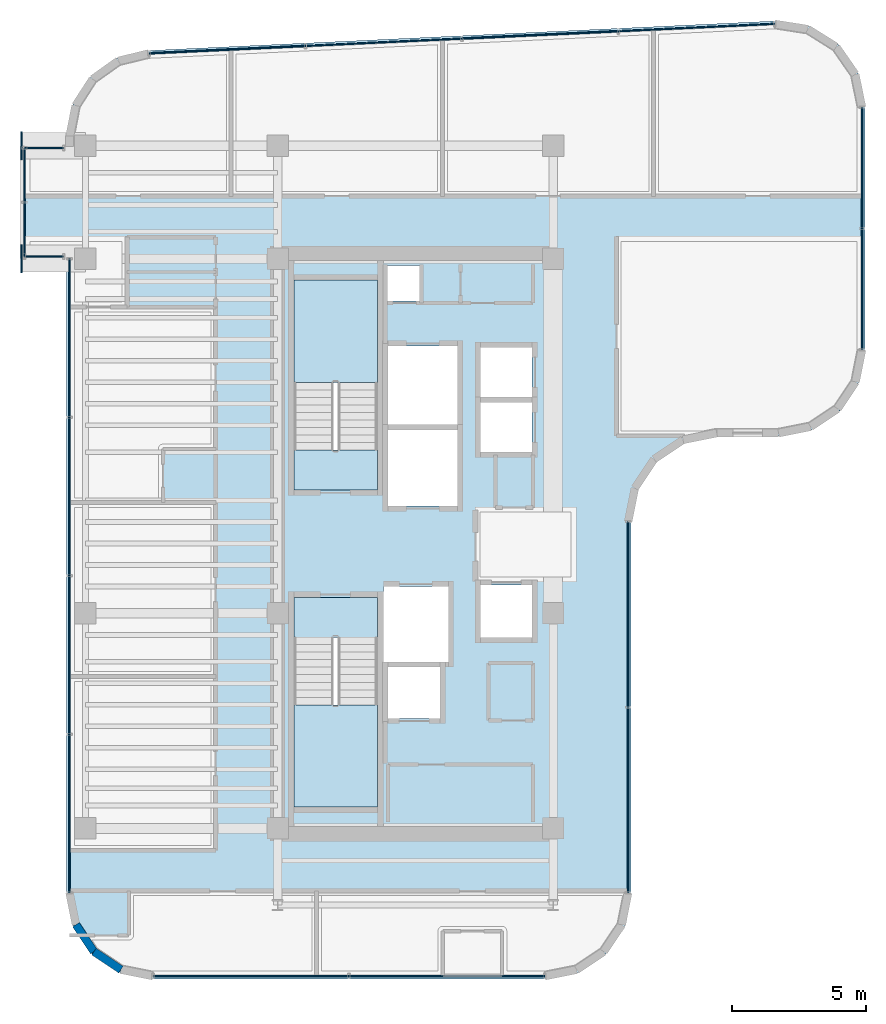
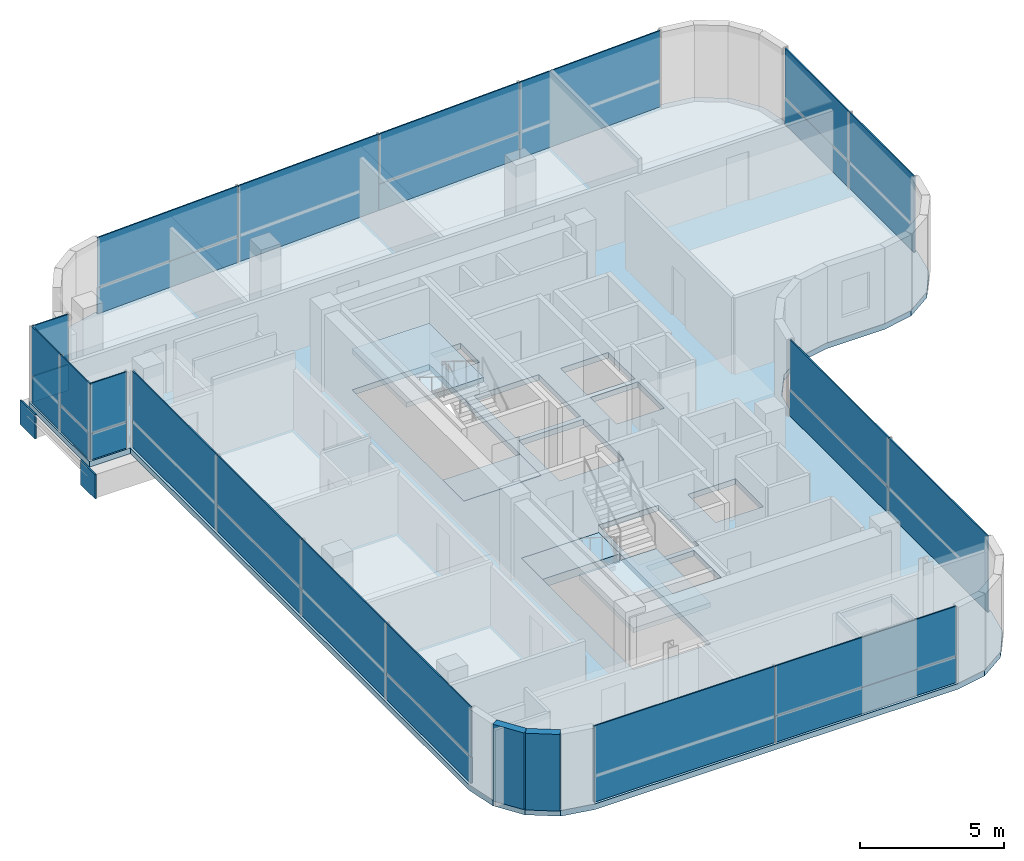
# One storey, part 15 of 21: 30 plates, 5 slabs, 2 walls, 10 elements without a shape of their own.
"""IFC4 building model written with IfcOpenShell, lengths in metres."""

from ifc_helpers import new_model, si_unit, direction, frame, frame_2d, origin, origin_2d, place, context, subcontext, project, spatial, polyline, rectangle, outline, extrude, source, transform, mapped, material, layer, layer_set, type_object, element, aggregate, save


model = new_model("IFC4")

# Units and contexts
model_context = context("Model", 3, precision=1e-05, world=origin(), true_north=direction((0.0, 1.0)))
body_context = subcontext(model_context, "Body", "Model", "MODEL_VIEW")
ifc_project = project(units=[si_unit("LENGTHUNIT", "METRE"), si_unit("AREAUNIT", "SQUARE_METRE"), si_unit("VOLUMEUNIT", "CUBIC_METRE"), si_unit("PLANEANGLEUNIT", "RADIAN"), si_unit("MASSUNIT", "GRAM", prefix="KILO")], contexts=[model_context])

# Site, building, storey
site_placement = place(None, origin())
site = spatial("IfcSite", under=ifc_project, at=site_placement, CompositionType="ELEMENT")
building_placement = place(site_placement, origin())
building = spatial("IfcBuilding", under=site, at=building_placement, Name="Valdorenza Pilgrim Sanctuary Tower", CompositionType="ELEMENT")
storey_placement = place(building_placement, frame((0.0, 0.0, 254.5)))
storey = spatial("IfcBuildingStorey", under=building, at=storey_placement, Name="L66", CompositionType="ELEMENT", Elevation=254.5)

# Slab
ifc_material_1 = material(Name="Concrete C40/50", Category="concrete")
ifc_layer_1 = layer(ifc_material_1, 0.239990234375, Name="Concrete C40/50")
ifc_layer_set_1 = layer_set([ifc_layer_1], Name="Concrete C40/50")
slab_type_1 = type_object("IfcSlabType", Name="SLAB-FLR-220", PredefinedType="FLOOR", material=ifc_layer_set_1)
slab_1_placement = place(storey_placement, frame((0.0, 0.0, -0.239990234375)))
element("IfcSlab", 1, at=slab_1_placement, inside=storey, type_object=slab_type_1, Name="L66 Structural Floor Slab 1", PredefinedType="FLOOR", context=body_context, shape_type="SweptSolid", body=[
    extrude(outline(polyline([(-30.2705078125, 16.3369140625), (-29.615478515625, 17.356201171875), (-28.628173828125, 18.05859375), (-27.45068359375, 18.34375), (-4.150634765625, 19.442138671875), (-2.880615234375, 19.243408203125), (-1.791259765625, 18.56103515625), (-1.05810546875, 17.5048828125), (-0.800048828125, 16.24560546875), (-0.800048828125, 7.199951171875), (-1.043701171875, 5.975341796875), (-1.7373046875, 4.937255859375), (-2.775390625, 4.24365234375), (-4.0, 4.0), (-6.300048828125, 4.0), (-7.524658203125, 3.75634765625), (-8.562744140625, 3.062744140625), (-9.25634765625, 2.024658203125), (-9.5, 0.800048828125), (-9.5, -13.0), (-9.74365234375, -14.224609375), (-10.437255859375, -15.2626953125), (-11.475341796875, -15.956298828125), (-12.699951171875, -16.199951171875), (-27.300048828125, -16.199951171875), (-28.524658203125, -15.956298828125), (-29.562744140625, -15.2626953125), (-30.25634765625, -14.224609375), (-30.5, -13.0), (-30.5, 10.60009765625), (-32.14990234375, 10.60009765625), (-32.14990234375, 14.800048828125), (-30.5, 14.800048828125), (-30.5, 15.147216796875), (-30.2705078125, 16.3369140625)]), holes=[polyline([(-22.050048828125, -9.800048828125), (-18.93994140625, -9.800048828125), (-18.93994140625, -3.485107421875), (-18.93994140625, -2.0), (-22.050048828125, -2.0), (-22.050048828125, -3.485107421875), (-22.050048828125, -9.800048828125)]), polyline([(-16.60009765625, -6.5), (-16.60009765625, -4.60009765625), (-18.550048828125, -4.60009765625), (-18.550048828125, -6.5), (-16.60009765625, -6.5)]), polyline([(-22.050048828125, 2.0), (-18.93994140625, 2.0), (-18.93994140625, 3.485107421875), (-18.93994140625, 9.800048828125), (-22.050048828125, 9.800048828125), (-22.050048828125, 3.485107421875), (-22.050048828125, 2.0)]), polyline([(-17.360107421875, 9.030029296875), (-17.360107421875, 10.35009765625), (-18.570068359375, 10.35009765625), (-18.570068359375, 9.030029296875), (-17.360107421875, 9.030029296875)]), polyline([(-16.300048828125, -1.60009765625), (-18.719970703125, -1.60009765625), (-18.719970703125, -4.39990234375), (-16.300048828125, -4.39990234375), (-16.300048828125, -1.60009765625)]), polyline([(-13.179931640625, -3.5), (-13.179931640625, -1.550048828125), (-15.10009765625, -1.550048828125), (-15.10009765625, -3.5), (-13.179931640625, -3.5)]), polyline([(-15.949951171875, 1.39990234375), (-15.949951171875, 4.22509765625), (-18.550048828125, 4.22509765625), (-18.550048828125, 1.39990234375), (-15.949951171875, 1.39990234375)]), polyline([(-13.179931640625, 5.25), (-15.10009765625, 5.25), (-15.10009765625, 3.39990234375), (-13.179931640625, 3.39990234375), (-13.179931640625, 5.25)]), polyline([(-15.949951171875, 4.425048828125), (-15.949951171875, 7.35009765625), (-18.550048828125, 7.35009765625), (-18.550048828125, 4.425048828125), (-15.949951171875, 4.425048828125)]), polyline([(-13.179931640625, 5.449951171875), (-13.179931640625, 7.300048828125), (-15.10009765625, 7.300048828125), (-15.10009765625, 5.449951171875), (-13.179931640625, 5.449951171875)])]), origin(), (0.0, 0.0, 1.0), 0.239990234375),
])

# Stair, slab
stair_type = type_object("IfcStairType", Name="STR-DOG-CORE", PredefinedType="HALF_TURN_STAIR", material=ifc_material_1)
stair_1_placement = place(storey_placement, origin())
stair_1 = element("IfcStair", 2, at=stair_1_placement, inside=storey, type_object=stair_type, Name="L66 ST-A1", PredefinedType="HALF_TURN_STAIR")
ifc_layer_2 = layer(ifc_material_1, 0.199951171875, Name="Concrete C40/50")
ifc_layer_set_2 = layer_set([ifc_layer_2], Name="Concrete C40/50")
slab_type_2 = type_object("IfcSlabType", Name="SLAB-STL-200", PredefinedType="LANDING", material=ifc_layer_set_2)
slab_2_placement = place(storey_placement, frame((0.0, 0.0, 1.550048828125)))
slab_2 = element("IfcSlab", 3, at=slab_2_placement, type_object=slab_type_2, Name="ST-A1 landing 1", PredefinedType="LANDING", context=body_context, shape_type="SweptSolid", body=[
    extrude(outline(polyline([(-18.93994140625, 6.0), (-18.93994140625, 9.800048828125), (-22.050048828125, 9.800048828125), (-22.050048828125, 6.0), (-18.93994140625, 6.0)])), origin(), (0.0, 0.0, 1.0), 0.199951171875),
])
aggregate(stair_1, [slab_2])

stair_2_placement = place(storey_placement, origin())
stair_2 = element("IfcStair", 4, at=stair_2_placement, inside=storey, type_object=stair_type, Name="L66 ST-A2", PredefinedType="HALF_TURN_STAIR")
slab_3_placement = place(storey_placement, frame((0.0, 0.0, 1.550048828125)))
slab_3 = element("IfcSlab", 5, at=slab_3_placement, type_object=slab_type_2, Name="ST-A2 landing 1", PredefinedType="LANDING", context=body_context, shape_type="SweptSolid", body=[
    extrude(outline(polyline([(-22.050048828125, -6.0), (-22.050048828125, -9.800048828125), (-18.93994140625, -9.800048828125), (-18.93994140625, -6.0), (-22.050048828125, -6.0)])), origin(), (0.0, 0.0, 1.0), 0.199951171875),
])
aggregate(stair_2, [slab_3])

# Slabs
ifc_material_2 = material(Name="Concrete C50/60", Category="concrete")
ifc_layer_3 = layer(ifc_material_2, 0.39990234375, Name="Concrete C50/60")
ifc_layer_set_3 = layer_set([ifc_layer_3], Name="Concrete C50/60")
slab_type_3 = type_object("IfcSlabType", Name="SLAB-TRF-400", PredefinedType="FLOOR", material=ifc_layer_set_3)
slab_4_placement = place(storey_placement, frame((0.0, 0.0, -0.360107421875)))
element("IfcSlab", 6, at=slab_4_placement, inside=storey, type_object=slab_type_3, Name="L66 ST-A1 Structural Stair Landing Bearing Slab", PredefinedType="FLOOR", context=body_context, shape_type="SweptSolid", body=[
    extrude(outline(polyline([(-22.050048828125, 2.0), (-18.93994140625, 2.0), (-18.93994140625, 3.485107421875), (-22.050048828125, 3.485107421875), (-22.050048828125, 2.0)])), origin(), (0.0, 0.0, 1.0), 0.360107421875),
])
slab_5_placement = place(storey_placement, frame((0.0, 0.0, -0.360107421875)))
element("IfcSlab", 7, at=slab_5_placement, inside=storey, type_object=slab_type_3, Name="L66 ST-A2 Structural Stair Landing Bearing Slab", PredefinedType="FLOOR", context=body_context, shape_type="SweptSolid", body=[
    extrude(outline(polyline([(-22.050048828125, -3.485107421875), (-18.93994140625, -3.485107421875), (-18.93994140625, -2.0), (-22.050048828125, -2.0), (-22.050048828125, -3.485107421875)])), origin(), (0.0, 0.0, 1.0), 0.360107421875),
])

# Plates
ifc_material_3 = material(Name="Steel ASTM A572 Grade 42", Category="steel")
ifc_layer_4 = layer(ifc_material_3, 0.06005859375, Name="Steel ASTM A572 Grade 42")
ifc_layer_set_4 = layer_set([ifc_layer_4], Name="Steel ASTM A572 Grade 42")
plate_type_1 = type_object("IfcPlateType", Name="PLT-CAP-60", PredefinedType="SHEET", material=ifc_layer_set_4)
shared_shape_1 = source(origin(), body_context, "Body", "SweptSolid", [
    extrude(rectangle(XDim=0.06005859375, YDim=1.0400390625, at=origin_2d()), origin(), (0.0, 0.0, 1.0), 1.0400390625),
])
for number, where, z_axis, x_axis, name in (
    (8, (-32.179931640625, 14.800048828125, -1.260009765625), (0.0, 0.0, 1.0), (1.0, 0.0, 0.0), "L66 BOX-WA-L66 Cantilever Tip End Cap N"),
    (9, (-32.179931640625, 10.60009765625, -1.260009765625), (0.0, 0.0, 1.0), (1.0, 0.0, 0.0), "L66 BOX-WA-L66 Cantilever Tip End Cap S"),
):
    element("IfcPlate", number, at=place(storey_placement, frame(where, z_axis=z_axis, x_axis=x_axis)), inside=storey, type_object=plate_type_1, Name=name, PredefinedType="SHEET", context=body_context, shape_type="MappedRepresentation", body=[
        mapped(shared_shape_1, transform((0.0, 0.0, 0.0), x_axis=(1.0, 0.0, 0.0), y_axis=(0.0, 1.0, 0.0), z_axis=(0.0, 0.0, 1.0), scale=1.0)),
    ])

# Curtain wall, plate
ifc_material_4 = material(Name="Curtain-wall IGU glazing", Category="glass")
curtain_wall_type = type_object("IfcCurtainWallType", Name="CW-SYS-02", PredefinedType="NOTDEFINED", material=ifc_material_4)
curtain_wall_1_placement = place(storey_placement, origin())
curtain_wall_1 = element("IfcCurtainWall", 10, at=curtain_wall_1_placement, inside=storey, type_object=curtain_wall_type, Name="L66 Curtain Wall CW-L66-BOX-WA-L66-S", PredefinedType="NOTDEFINED")
ifc_material_5 = material(Name="Honed travertine limestone", Category="masonry")
ifc_layer_5 = layer(ifc_material_5, 0.050048828125, Name="Honed travertine limestone")
ifc_layer_set_5 = layer_set([ifc_layer_5], Name="Honed travertine limestone")
plate_type_2 = type_object("IfcPlateType", Name="CW-SPN-TRV", PredefinedType="USERDEFINED", material=ifc_layer_set_5)
shared_shape_2 = source(origin(), body_context, "Body", "SweptSolid", [
    extrude(rectangle(XDim=1.43994140625, YDim=0.06005859375, at=origin_2d()), origin(), (0.0, 0.0, 1.0), 1.10009765625),
])
plate_1_placement = place(storey_placement, frame((-31.340087890625, 10.679931640625, 0.010009765625), z_axis=(0.0, 0.0, 1.0), x_axis=(-1.0, 0.0, 0.0)))
plate_1 = element("IfcPlate", 11, at=plate_1_placement, type_object=plate_type_2, Name="CW-L66-BOX-WA-L66-S Travertine Spandrel 1", ObjectType="SPANDREL", PredefinedType="USERDEFINED", context=body_context, shape_type="MappedRepresentation", body=[
    mapped(shared_shape_2, transform((0.0, 0.0, 0.0), x_axis=(1.0, 0.0, 0.0), y_axis=(0.0, 1.0, 0.0), z_axis=(0.0, 0.0, 1.0), scale=1.0)),
])

curtain_wall_2_placement = place(storey_placement, origin())
curtain_wall_2 = element("IfcCurtainWall", 12, at=curtain_wall_2_placement, inside=storey, type_object=curtain_wall_type, Name="L66 Curtain Wall CW-L66-BOX-WA-L66-N", PredefinedType="NOTDEFINED")
plate_2_placement = place(storey_placement, frame((-31.340087890625, 14.719970703125, 0.010009765625), z_axis=(0.0, 0.0, 1.0), x_axis=(1.0, 0.0, 0.0)))
plate_2 = element("IfcPlate", 13, at=plate_2_placement, type_object=plate_type_2, Name="CW-L66-BOX-WA-L66-N Travertine Spandrel 1", ObjectType="SPANDREL", PredefinedType="USERDEFINED", context=body_context, shape_type="MappedRepresentation", body=[
    mapped(shared_shape_2, transform((0.0, 0.0, 0.0), x_axis=(1.0, 0.0, 0.0), y_axis=(0.0, 1.0, 0.0), z_axis=(0.0, 0.0, 1.0), scale=1.0)),
])

curtain_wall_3_placement = place(storey_placement, origin())
curtain_wall_3 = element("IfcCurtainWall", 14, at=curtain_wall_3_placement, inside=storey, type_object=curtain_wall_type, Name="L66 Curtain Wall CW-L66-BOX-WA-L66-F", PredefinedType="NOTDEFINED")
shared_shape_3 = source(origin(), body_context, "Body", "SweptSolid", [
    extrude(rectangle(XDim=2.0, YDim=0.06005859375, at=origin_2d()), origin(), (0.0, 0.0, 1.0), 1.10009765625),
])
plate_3_placement = place(storey_placement, frame((-32.070068359375, 11.68994140625, 0.010009765625), z_axis=(0.0, 0.0, 1.0), x_axis=(0.0, 1.0, 0.0)))
plate_3 = element("IfcPlate", 15, at=plate_3_placement, type_object=plate_type_2, Name="CW-L66-BOX-WA-L66-F Travertine Spandrel 1", ObjectType="SPANDREL", PredefinedType="USERDEFINED", context=body_context, shape_type="MappedRepresentation", body=[
    mapped(shared_shape_3, transform((0.0, 0.0, 0.0), x_axis=(1.0, 0.0, 0.0), y_axis=(0.0, 1.0, 0.0), z_axis=(0.0, 0.0, 1.0), scale=1.0)),
])

# Plate
ifc_material_6 = material(Name="Ceramic-fritted low-E IGU glazing", Category="glass")
ifc_layer_6 = layer(ifc_material_6, 0.035888671875, Name="Ceramic-fritted low-E IGU glazing")
ifc_layer_set_6 = layer_set([ifc_layer_6], Name="Ceramic-fritted low-E IGU glazing")
plate_type_3 = type_object("IfcPlateType", Name="CW-GLZ-IGU", PredefinedType="USERDEFINED", material=ifc_layer_set_6)
shared_shape_4 = source(origin(), body_context, "Body", "SweptSolid", [
    extrude(rectangle(XDim=1.43994140625, YDim=0.050048828125, at=origin_2d()), origin(), (0.0, 0.0, 1.0), 2.1201171875),
])
plate_4_placement = place(storey_placement, frame((-31.340087890625, 10.679931640625, 1.1298828125), z_axis=(0.0, 0.0, 1.0), x_axis=(-1.0, 0.0, 0.0)))
plate_4 = element("IfcPlate", 16, at=plate_4_placement, type_object=plate_type_3, Name="CW-L66-BOX-WA-L66-S Facade Panel 1", ObjectType="GLAZING", PredefinedType="USERDEFINED", context=body_context, shape_type="MappedRepresentation", body=[
    mapped(shared_shape_4, transform((0.0, 0.0, 0.0), x_axis=(1.0, 0.0, 0.0), y_axis=(0.0, 1.0, 0.0), z_axis=(0.0, 0.0, 1.0), scale=1.0)),
])

aggregate(curtain_wall_1, [plate_1, plate_4])

plate_5_placement = place(storey_placement, frame((-31.340087890625, 14.719970703125, 1.1298828125), z_axis=(0.0, 0.0, 1.0), x_axis=(1.0, 0.0, 0.0)))
plate_5 = element("IfcPlate", 17, at=plate_5_placement, type_object=plate_type_3, Name="CW-L66-BOX-WA-L66-N Facade Panel 1", ObjectType="GLAZING", PredefinedType="USERDEFINED", context=body_context, shape_type="MappedRepresentation", body=[
    mapped(shared_shape_4, transform((0.0, 0.0, 0.0), x_axis=(1.0, 0.0, 0.0), y_axis=(0.0, 1.0, 0.0), z_axis=(0.0, 0.0, 1.0), scale=1.0)),
])

aggregate(curtain_wall_2, [plate_2, plate_5])

shared_shape_5 = source(origin(), body_context, "Body", "SweptSolid", [
    extrude(rectangle(XDim=2.0, YDim=0.050048828125, at=origin_2d()), origin(), (0.0, 0.0, 1.0), 2.1201171875),
])
plate_6_placement = place(storey_placement, frame((-32.070068359375, 11.68994140625, 1.1298828125), z_axis=(0.0, 0.0, 1.0), x_axis=(0.0, 1.0, 0.0)))
plate_6 = element("IfcPlate", 18, at=plate_6_placement, type_object=plate_type_3, Name="CW-L66-BOX-WA-L66-F Facade Panel 1", ObjectType="GLAZING", PredefinedType="USERDEFINED", context=body_context, shape_type="MappedRepresentation", body=[
    mapped(shared_shape_5, transform((0.0, 0.0, 0.0), x_axis=(1.0, 0.0, 0.0), y_axis=(0.0, 1.0, 0.0), z_axis=(0.0, 0.0, 1.0), scale=1.0)),
])

shared_shape_6 = source(origin(), body_context, "Body", "SweptSolid", [
    extrude(rectangle(XDim=2.0, YDim=0.050048828125, at=origin_2d()), origin(), (0.0, 0.0, 1.0), 3.239990234375),
])
plate_7_placement = place(storey_placement, frame((-32.070068359375, 13.7099609375, 0.009765625), z_axis=(0.0, 0.0, 1.0), x_axis=(0.0, 1.0, 0.0)))
plate_7 = element("IfcPlate", 19, at=plate_7_placement, type_object=plate_type_3, Name="CW-L66-BOX-WA-L66-F Full-Height Facade Panel 2", ObjectType="GLAZING", PredefinedType="USERDEFINED", context=body_context, shape_type="MappedRepresentation", body=[
    mapped(shared_shape_6, transform((0.0, 0.0, 0.0), x_axis=(1.0, 0.0, 0.0), y_axis=(0.0, 1.0, 0.0), z_axis=(0.0, 0.0, 1.0), scale=1.0)),
])

aggregate(curtain_wall_3, [plate_3, plate_6, plate_7])

# Curtain wall, plates
curtain_wall_4_placement = place(storey_placement, origin())
curtain_wall_4 = element("IfcCurtainWall", 20, at=curtain_wall_4_placement, inside=storey, type_object=curtain_wall_type, Name="L66 Curtain Wall CW-L66-1-6", PredefinedType="NOTDEFINED")
shared_shape_7 = source(origin(), body_context, "Body", "SweptSolid", [
    extrude(rectangle(XDim=5.805908203125, YDim=0.06005859375, at=origin_2d()), origin(), (0.0, 0.0, 1.0), 1.10009765625),
])
plate_8_placement = place(storey_placement, frame((-24.525146484375, 18.37158203125, 0.010009765625), z_axis=(0.0, 0.0, 1.0), x_axis=(0.998890696972, 0.047089016785, 0.0)))
plate_8 = element("IfcPlate", 21, at=plate_8_placement, type_object=plate_type_2, Name="CW-L66-1-6 Travertine Spandrel 1", ObjectType="SPANDREL", PredefinedType="USERDEFINED", context=body_context, shape_type="MappedRepresentation", body=[
    mapped(shared_shape_7, transform((0.0, 0.0, 0.0), x_axis=(1.0, 0.0, 0.0), y_axis=(0.0, 1.0, 0.0), z_axis=(0.0, 0.0, 1.0), scale=1.0)),
])
plate_9_placement = place(storey_placement, frame((-12.885986328125, 18.920166015625, 0.010009765625), z_axis=(0.0, 0.0, 1.0), x_axis=(0.998890696972, 0.047089016785, 0.0)))
plate_9 = element("IfcPlate", 22, at=plate_9_placement, type_object=plate_type_2, Name="CW-L66-1-6 Travertine Spandrel 3", ObjectType="SPANDREL", PredefinedType="USERDEFINED", context=body_context, shape_type="MappedRepresentation", body=[
    mapped(shared_shape_7, transform((0.0, 0.0, 0.0), x_axis=(1.0, 0.0, 0.0), y_axis=(0.0, 1.0, 0.0), z_axis=(0.0, 0.0, 1.0), scale=1.0)),
])
shared_shape_8 = source(origin(), body_context, "Body", "SweptSolid", [
    extrude(rectangle(XDim=5.805908203125, YDim=0.050048828125, at=origin_2d()), origin(), (0.0, 0.0, 1.0), 2.1201171875),
])
plate_10_placement = place(storey_placement, frame((-24.525146484375, 18.37158203125, 1.1298828125), z_axis=(0.0, 0.0, 1.0), x_axis=(0.998890696972, 0.047089016785, 0.0)))
plate_10 = element("IfcPlate", 23, at=plate_10_placement, type_object=plate_type_3, Name="CW-L66-1-6 Facade Panel 1", ObjectType="GLAZING", PredefinedType="USERDEFINED", context=body_context, shape_type="MappedRepresentation", body=[
    mapped(shared_shape_8, transform((0.0, 0.0, 0.0), x_axis=(1.0, 0.0, 0.0), y_axis=(0.0, 1.0, 0.0), z_axis=(0.0, 0.0, 1.0), scale=1.0)),
])
plate_11_placement = place(storey_placement, frame((-12.885986328125, 18.920166015625, 1.1298828125), z_axis=(0.0, 0.0, 1.0), x_axis=(0.998890696972, 0.047089016785, 0.0)))
plate_11 = element("IfcPlate", 24, at=plate_11_placement, type_object=plate_type_3, Name="CW-L66-1-6 Facade Panel 3", ObjectType="GLAZING", PredefinedType="USERDEFINED", context=body_context, shape_type="MappedRepresentation", body=[
    mapped(shared_shape_8, transform((0.0, 0.0, 0.0), x_axis=(1.0, 0.0, 0.0), y_axis=(0.0, 1.0, 0.0), z_axis=(0.0, 0.0, 1.0), scale=1.0)),
])
shared_shape_9 = source(origin(), body_context, "Body", "SweptSolid", [
    extrude(rectangle(XDim=5.805908203125, YDim=0.050048828125, at=origin_2d()), origin(), (0.0, 0.0, 1.0), 3.239990234375),
])
plate_12_placement = place(storey_placement, frame((-18.70556640625, 18.645751953125, 0.009765625), z_axis=(0.0, 0.0, 1.0), x_axis=(0.998890696972, 0.047089016785, 0.0)))
plate_12 = element("IfcPlate", 25, at=plate_12_placement, type_object=plate_type_3, Name="CW-L66-1-6 Full-Height Facade Panel 2", ObjectType="GLAZING", PredefinedType="USERDEFINED", context=body_context, shape_type="MappedRepresentation", body=[
    mapped(shared_shape_9, transform((0.0, 0.0, 0.0), x_axis=(1.0, 0.0, 0.0), y_axis=(0.0, 1.0, 0.0), z_axis=(0.0, 0.0, 1.0), scale=1.0)),
])
plate_13_placement = place(storey_placement, frame((-7.06640625, 19.194580078125, 0.009765625), z_axis=(0.0, 0.0, 1.0), x_axis=(0.998890696972, 0.047089016785, 0.0)))
plate_13 = element("IfcPlate", 26, at=plate_13_placement, type_object=plate_type_3, Name="CW-L66-1-6 Full-Height Facade Panel 4", ObjectType="GLAZING", PredefinedType="USERDEFINED", context=body_context, shape_type="MappedRepresentation", body=[
    mapped(shared_shape_9, transform((0.0, 0.0, 0.0), x_axis=(1.0, 0.0, 0.0), y_axis=(0.0, 1.0, 0.0), z_axis=(0.0, 0.0, 1.0), scale=1.0)),
])
aggregate(curtain_wall_4, [plate_8, plate_10, plate_12, plate_9, plate_11, plate_13])

curtain_wall_5_placement = place(storey_placement, origin())
curtain_wall_5 = element("IfcCurtainWall", 27, at=curtain_wall_5_placement, inside=storey, type_object=curtain_wall_type, Name="L66 Curtain Wall CW-L66-1-11", PredefinedType="NOTDEFINED")
shared_shape_10 = source(origin(), body_context, "Body", "SweptSolid", [
    extrude(rectangle(XDim=4.49169921875, YDim=0.06005859375, at=origin_2d()), origin(), (0.0, 0.0, 1.0), 1.10009765625),
])
plate_14_placement = place(storey_placement, frame((-0.909912109375, 13.978515625, 0.010009765625), z_axis=(0.0, 0.0, 1.0), x_axis=(0.0, -1.0, 0.0)))
plate_14 = element("IfcPlate", 28, at=plate_14_placement, type_object=plate_type_2, Name="CW-L66-1-11 Travertine Spandrel 1", ObjectType="SPANDREL", PredefinedType="USERDEFINED", context=body_context, shape_type="MappedRepresentation", body=[
    mapped(shared_shape_10, transform((0.0, 0.0, 0.0), x_axis=(1.0, 0.0, 0.0), y_axis=(0.0, 1.0, 0.0), z_axis=(0.0, 0.0, 1.0), scale=1.0)),
])
shared_shape_11 = source(origin(), body_context, "Body", "SweptSolid", [
    extrude(rectangle(XDim=4.49169921875, YDim=0.050048828125, at=origin_2d()), origin(), (0.0, 0.0, 1.0), 2.1201171875),
])
plate_15_placement = place(storey_placement, frame((-0.909912109375, 13.978515625, 1.1298828125), z_axis=(0.0, 0.0, 1.0), x_axis=(0.0, -1.0, 0.0)))
plate_15 = element("IfcPlate", 29, at=plate_15_placement, type_object=plate_type_3, Name="CW-L66-1-11 Facade Panel 1", ObjectType="GLAZING", PredefinedType="USERDEFINED", context=body_context, shape_type="MappedRepresentation", body=[
    mapped(shared_shape_11, transform((0.0, 0.0, 0.0), x_axis=(1.0, 0.0, 0.0), y_axis=(0.0, 1.0, 0.0), z_axis=(0.0, 0.0, 1.0), scale=1.0)),
])
shared_shape_12 = source(origin(), body_context, "Body", "SweptSolid", [
    extrude(rectangle(XDim=4.49169921875, YDim=0.050048828125, at=origin_2d()), origin(), (0.0, 0.0, 1.0), 3.239990234375),
])
plate_16_placement = place(storey_placement, frame((-0.909912109375, 9.466796875, 0.009765625), z_axis=(0.0, 0.0, 1.0), x_axis=(0.0, -1.0, 0.0)))
plate_16 = element("IfcPlate", 30, at=plate_16_placement, type_object=plate_type_3, Name="CW-L66-1-11 Full-Height Facade Panel 2", ObjectType="GLAZING", PredefinedType="USERDEFINED", context=body_context, shape_type="MappedRepresentation", body=[
    mapped(shared_shape_12, transform((0.0, 0.0, 0.0), x_axis=(1.0, 0.0, 0.0), y_axis=(0.0, 1.0, 0.0), z_axis=(0.0, 0.0, 1.0), scale=1.0)),
])
aggregate(curtain_wall_5, [plate_14, plate_15, plate_16])

curtain_wall_6_placement = place(storey_placement, origin())
curtain_wall_6 = element("IfcCurtainWall", 31, at=curtain_wall_6_placement, inside=storey, type_object=curtain_wall_type, Name="L66 Curtain Wall CW-L66-1-21", PredefinedType="NOTDEFINED")
shared_shape_13 = source(origin(), body_context, "Body", "SweptSolid", [
    extrude(rectangle(XDim=6.8798828125, YDim=0.06005859375, at=origin_2d()), origin(), (0.0, 0.0, 1.0), 1.10009765625),
])
plate_17_placement = place(storey_placement, frame((-9.610107421875, -2.63916015625, 0.010009765625), z_axis=(0.0, 0.0, 1.0), x_axis=(0.0, -1.0, 0.0)))
plate_17 = element("IfcPlate", 32, at=plate_17_placement, type_object=plate_type_2, Name="CW-L66-1-21 Travertine Spandrel 1", ObjectType="SPANDREL", PredefinedType="USERDEFINED", context=body_context, shape_type="MappedRepresentation", body=[
    mapped(shared_shape_13, transform((0.0, 0.0, 0.0), x_axis=(1.0, 0.0, 0.0), y_axis=(0.0, 1.0, 0.0), z_axis=(0.0, 0.0, 1.0), scale=1.0)),
])
shared_shape_14 = source(origin(), body_context, "Body", "SweptSolid", [
    extrude(rectangle(XDim=6.8798828125, YDim=0.050048828125, at=origin_2d()), origin(), (0.0, 0.0, 1.0), 2.1201171875),
])
plate_18_placement = place(storey_placement, frame((-9.610107421875, -2.63916015625, 1.1298828125), z_axis=(0.0, 0.0, 1.0), x_axis=(0.0, -1.0, 0.0)))
plate_18 = element("IfcPlate", 33, at=plate_18_placement, type_object=plate_type_3, Name="CW-L66-1-21 Facade Panel 1", ObjectType="GLAZING", PredefinedType="USERDEFINED", context=body_context, shape_type="MappedRepresentation", body=[
    mapped(shared_shape_14, transform((0.0, 0.0, 0.0), x_axis=(1.0, 0.0, 0.0), y_axis=(0.0, 1.0, 0.0), z_axis=(0.0, 0.0, 1.0), scale=1.0)),
])
shared_shape_15 = source(origin(), body_context, "Body", "SweptSolid", [
    extrude(rectangle(XDim=6.8798828125, YDim=0.050048828125, at=origin_2d()), origin(), (0.0, 0.0, 1.0), 3.239990234375),
])
plate_19_placement = place(storey_placement, frame((-9.610107421875, -9.539306640625, 0.009765625), z_axis=(0.0, 0.0, 1.0), x_axis=(0.0, -1.0, 0.0)))
plate_19 = element("IfcPlate", 34, at=plate_19_placement, type_object=plate_type_3, Name="CW-L66-1-21 Full-Height Facade Panel 2", ObjectType="GLAZING", PredefinedType="USERDEFINED", context=body_context, shape_type="MappedRepresentation", body=[
    mapped(shared_shape_15, transform((0.0, 0.0, 0.0), x_axis=(1.0, 0.0, 0.0), y_axis=(0.0, 1.0, 0.0), z_axis=(0.0, 0.0, 1.0), scale=1.0)),
])
aggregate(curtain_wall_6, [plate_17, plate_18, plate_19])

curtain_wall_7_placement = place(storey_placement, origin())
curtain_wall_7 = element("IfcCurtainWall", 35, at=curtain_wall_7_placement, inside=storey, type_object=curtain_wall_type, Name="L66 Curtain Wall CW-L66-1-26", PredefinedType="NOTDEFINED")
shared_shape_16 = source(origin(), body_context, "Body", "SweptSolid", [
    extrude(rectangle(XDim=7.269287109375, YDim=0.06005859375, at=origin_2d()), origin(), (0.0, 0.0, 1.0), 1.10009765625),
])
plate_20_placement = place(storey_placement, frame((-16.35546875, -16.090087890625, 0.010009765625), z_axis=(0.0, 0.0, 1.0), x_axis=(-1.0, 0.0, 0.0)))
plate_20 = element("IfcPlate", 36, at=plate_20_placement, type_object=plate_type_2, Name="CW-L66-1-26 Travertine Spandrel 1", ObjectType="SPANDREL", PredefinedType="USERDEFINED", context=body_context, shape_type="MappedRepresentation", body=[
    mapped(shared_shape_16, transform((0.0, 0.0, 0.0), x_axis=(1.0, 0.0, 0.0), y_axis=(0.0, 1.0, 0.0), z_axis=(0.0, 0.0, 1.0), scale=1.0)),
])
shared_shape_17 = source(origin(), body_context, "Body", "SweptSolid", [
    extrude(rectangle(XDim=7.269287109375, YDim=0.050048828125, at=origin_2d()), origin(), (0.0, 0.0, 1.0), 2.1201171875),
])
plate_21_placement = place(storey_placement, frame((-16.35546875, -16.090087890625, 1.1298828125), z_axis=(0.0, 0.0, 1.0), x_axis=(-1.0, 0.0, 0.0)))
plate_21 = element("IfcPlate", 37, at=plate_21_placement, type_object=plate_type_3, Name="CW-L66-1-26 Facade Panel 1", ObjectType="GLAZING", PredefinedType="USERDEFINED", context=body_context, shape_type="MappedRepresentation", body=[
    mapped(shared_shape_17, transform((0.0, 0.0, 0.0), x_axis=(1.0, 0.0, 0.0), y_axis=(0.0, 1.0, 0.0), z_axis=(0.0, 0.0, 1.0), scale=1.0)),
])
shared_shape_18 = source(origin(), body_context, "Body", "SweptSolid", [
    extrude(rectangle(XDim=7.269287109375, YDim=0.050048828125, at=origin_2d()), origin(), (0.0, 0.0, 1.0), 3.239990234375),
])
plate_22_placement = place(storey_placement, frame((-23.64453125, -16.090087890625, 0.009765625), z_axis=(0.0, 0.0, 1.0), x_axis=(-1.0, 0.0, 0.0)))
plate_22 = element("IfcPlate", 38, at=plate_22_placement, type_object=plate_type_3, Name="CW-L66-1-26 Full-Height Facade Panel 2", ObjectType="GLAZING", PredefinedType="USERDEFINED", context=body_context, shape_type="MappedRepresentation", body=[
    mapped(shared_shape_18, transform((0.0, 0.0, 0.0), x_axis=(1.0, 0.0, 0.0), y_axis=(0.0, 1.0, 0.0), z_axis=(0.0, 0.0, 1.0), scale=1.0)),
])
aggregate(curtain_wall_7, [plate_20, plate_21, plate_22])

curtain_wall_8_placement = place(storey_placement, origin())
curtain_wall_8 = element("IfcCurtainWall", 39, at=curtain_wall_8_placement, inside=storey, type_object=curtain_wall_type, Name="L66 Curtain Wall CW-L66-1-1S1", PredefinedType="NOTDEFINED")
shared_shape_19 = source(origin(), body_context, "Body", "SweptSolid", [
    extrude(rectangle(XDim=5.877197265625, YDim=0.06005859375, at=origin_2d()), origin(), (0.0, 0.0, 1.0), 1.10009765625),
])
plate_23_placement = place(storey_placement, frame((-30.389892578125, -10.04052734375, 0.010009765625), z_axis=(0.0, 0.0, 1.0), x_axis=(0.0, 1.0, 0.0)))
plate_23 = element("IfcPlate", 40, at=plate_23_placement, type_object=plate_type_2, Name="CW-L66-1-1S1 Travertine Spandrel 1", ObjectType="SPANDREL", PredefinedType="USERDEFINED", context=body_context, shape_type="MappedRepresentation", body=[
    mapped(shared_shape_19, transform((0.0, 0.0, 0.0), x_axis=(1.0, 0.0, 0.0), y_axis=(0.0, 1.0, 0.0), z_axis=(0.0, 0.0, 1.0), scale=1.0)),
])
plate_24_placement = place(storey_placement, frame((-30.389892578125, 1.75390625, 0.010009765625), z_axis=(0.0, 0.0, 1.0), x_axis=(0.0, 1.0, 0.0)))
plate_24 = element("IfcPlate", 41, at=plate_24_placement, type_object=plate_type_2, Name="CW-L66-1-1S1 Travertine Spandrel 3", ObjectType="SPANDREL", PredefinedType="USERDEFINED", context=body_context, shape_type="MappedRepresentation", body=[
    mapped(shared_shape_19, transform((0.0, 0.0, 0.0), x_axis=(1.0, 0.0, 0.0), y_axis=(0.0, 1.0, 0.0), z_axis=(0.0, 0.0, 1.0), scale=1.0)),
])
shared_shape_20 = source(origin(), body_context, "Body", "SweptSolid", [
    extrude(rectangle(XDim=5.877197265625, YDim=0.050048828125, at=origin_2d()), origin(), (0.0, 0.0, 1.0), 2.1201171875),
])
plate_25_placement = place(storey_placement, frame((-30.389892578125, -10.04052734375, 1.1298828125), z_axis=(0.0, 0.0, 1.0), x_axis=(0.0, 1.0, 0.0)))
plate_25 = element("IfcPlate", 42, at=plate_25_placement, type_object=plate_type_3, Name="CW-L66-1-1S1 Facade Panel 1", ObjectType="GLAZING", PredefinedType="USERDEFINED", context=body_context, shape_type="MappedRepresentation", body=[
    mapped(shared_shape_20, transform((0.0, 0.0, 0.0), x_axis=(1.0, 0.0, 0.0), y_axis=(0.0, 1.0, 0.0), z_axis=(0.0, 0.0, 1.0), scale=1.0)),
])
plate_26_placement = place(storey_placement, frame((-30.389892578125, 1.75390625, 1.1298828125), z_axis=(0.0, 0.0, 1.0), x_axis=(0.0, 1.0, 0.0)))
plate_26 = element("IfcPlate", 43, at=plate_26_placement, type_object=plate_type_3, Name="CW-L66-1-1S1 Facade Panel 3", ObjectType="GLAZING", PredefinedType="USERDEFINED", context=body_context, shape_type="MappedRepresentation", body=[
    mapped(shared_shape_20, transform((0.0, 0.0, 0.0), x_axis=(1.0, 0.0, 0.0), y_axis=(0.0, 1.0, 0.0), z_axis=(0.0, 0.0, 1.0), scale=1.0)),
])
shared_shape_21 = source(origin(), body_context, "Body", "SweptSolid", [
    extrude(rectangle(XDim=5.877197265625, YDim=0.050048828125, at=origin_2d()), origin(), (0.0, 0.0, 1.0), 3.239990234375),
])
plate_27_placement = place(storey_placement, frame((-30.389892578125, -4.143310546875, 0.009765625), z_axis=(0.0, 0.0, 1.0), x_axis=(0.0, 1.0, 0.0)))
plate_27 = element("IfcPlate", 44, at=plate_27_placement, type_object=plate_type_3, Name="CW-L66-1-1S1 Full-Height Facade Panel 2", ObjectType="GLAZING", PredefinedType="USERDEFINED", context=body_context, shape_type="MappedRepresentation", body=[
    mapped(shared_shape_21, transform((0.0, 0.0, 0.0), x_axis=(1.0, 0.0, 0.0), y_axis=(0.0, 1.0, 0.0), z_axis=(0.0, 0.0, 1.0), scale=1.0)),
])
plate_28_placement = place(storey_placement, frame((-30.389892578125, 7.6513671875, 0.009765625), z_axis=(0.0, 0.0, 1.0), x_axis=(0.0, 1.0, 0.0)))
plate_28 = element("IfcPlate", 45, at=plate_28_placement, type_object=plate_type_3, Name="CW-L66-1-1S1 Full-Height Facade Panel 4", ObjectType="GLAZING", PredefinedType="USERDEFINED", context=body_context, shape_type="MappedRepresentation", body=[
    mapped(shared_shape_21, transform((0.0, 0.0, 0.0), x_axis=(1.0, 0.0, 0.0), y_axis=(0.0, 1.0, 0.0), z_axis=(0.0, 0.0, 1.0), scale=1.0)),
])
aggregate(curtain_wall_8, [plate_23, plate_25, plate_27, plate_24, plate_26, plate_28])

# Walls
ifc_layer_7 = layer(ifc_material_5, 0.300048828125, Name="Honed travertine limestone")
ifc_layer_set_7 = layer_set([ifc_layer_7], Name="Honed travertine limestone")
wall_type = type_object("IfcWallType", Name="WAL-EXT-300", PredefinedType="SOLIDWALL", material=ifc_layer_set_7)
for number, where, z_axis, x_axis, name in (
    (46, (-28.481689453125, -15.852783203125, 0.0), (0.0, 0.0, 1.0), (-0.831426265255, 0.555635100982, 0.0), "L66 Rounded Wind-Corner Stone Pier 28"),
    (47, (-29.4833984375, -15.183349609375, 0.0), (0.0, 0.0, 1.0), (-0.555635100982, 0.831426265255, 0.0), "L66 Rounded Wind-Corner Stone Pier 29"),
):
    element("IfcWall", number, at=place(storey_placement, frame(where, z_axis=z_axis, x_axis=x_axis)), inside=storey, type_object=wall_type, Name=name, PredefinedType="SOLIDWALL", context=body_context, shape_type="SweptSolid", body=[
        extrude(rectangle(XDim=1.204833984375, YDim=0.300048828125, at=frame_2d((0.6025390625, 0.0))), origin(), (0.0, 0.0, 1.0), 3.260009765625),
    ])

save(model, "model.ifc")
